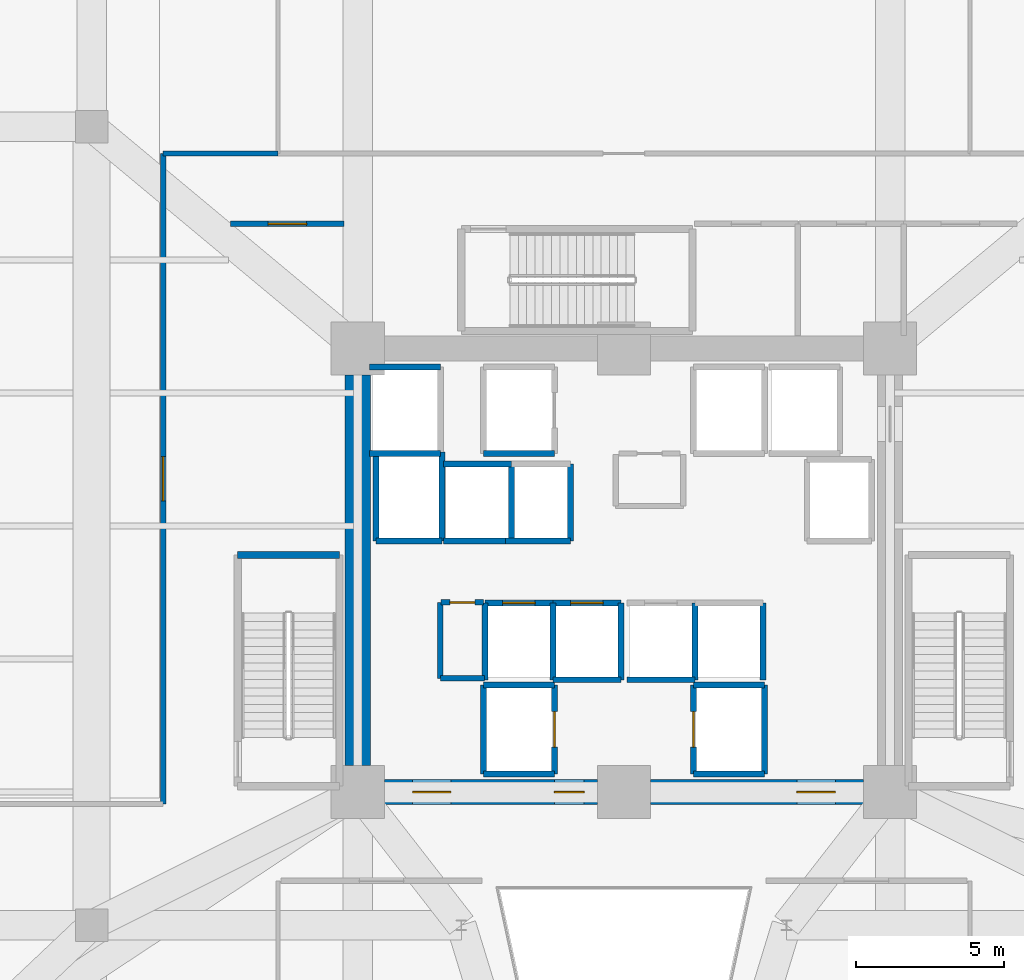
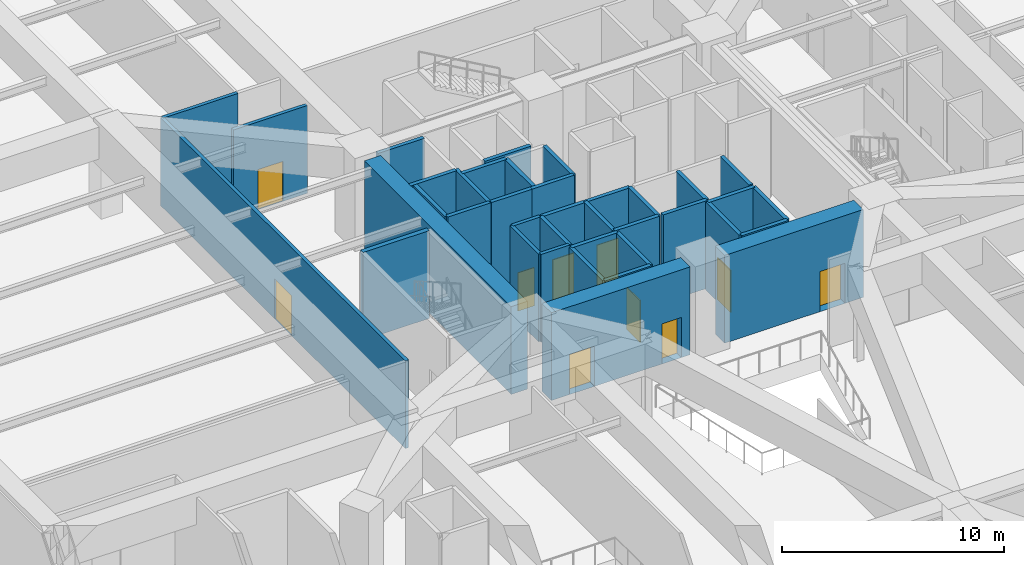
# One storey, part 6 of 14: 38 walls, 10 doors, 10 openings.
"""IFC4 building model written with IfcOpenShell, lengths in metres."""

from ifc_helpers import new_model, si_unit, direction, frame, frame_2d, origin, place, context, subcontext, project, spatial, rectangle, extrude, source, transform, mapped, material, layer, layer_set, type_object, element, fill, save


model = new_model("IFC4")

# Units and contexts
model_context = context("Model", 3, precision=1e-05, world=origin(), true_north=direction((0.0, 1.0)))
body_context = subcontext(model_context, "Body", "Model", "MODEL_VIEW")
ifc_project = project(units=[si_unit("LENGTHUNIT", "METRE"), si_unit("AREAUNIT", "SQUARE_METRE"), si_unit("VOLUMEUNIT", "CUBIC_METRE"), si_unit("PLANEANGLEUNIT", "RADIAN"), si_unit("MASSUNIT", "GRAM", prefix="KILO")], contexts=[model_context])

# Site, building, storey
site_placement = place(None, origin())
site = spatial("IfcSite", under=ifc_project, at=site_placement, CompositionType="ELEMENT")
building_placement = place(site_placement, origin())
building = spatial("IfcBuilding", under=site, at=building_placement, Name="Liaohun Quay Tower", CompositionType="ELEMENT")
storey_placement = place(building_placement, frame((0.0, 0.0, 23.39990234375)))
storey = spatial("IfcBuildingStorey", under=building, at=storey_placement, Name="L06", CompositionType="ELEMENT", Elevation=23.39990234375)

# Wall, opening, door
ifc_material_1 = material(Name="Concrete C60", Category="concrete")
ifc_layer_1 = layer(ifc_material_1, 0.85009765625, Name="Concrete C60", Category="concrete")
ifc_layer_set_1 = layer_set([ifc_layer_1], Name="Concrete C60")
wall_type_1 = type_object("IfcWallType", Name="WAL-COR-Z1", PredefinedType="SHEAR", material=ifc_layer_set_1)
wall_1_placement = place(storey_placement, frame((68.10009765625, 46.5, 0.0), z_axis=(0.0, 0.0, 1.0), x_axis=(-1.0, 0.0, 0.0)))
wall_1 = element("IfcWall", 1, at=wall_1_placement, inside=storey, type_object=wall_type_1, Name="L06 Central Core Shear Wall S-E", PredefinedType="SHEAR", context=body_context, shape_type="SweptSolid", body=[
    extrude(rectangle(XDim=7.2001953125, YDim=0.85009765625, at=frame_2d((3.60009765625, 0.0))), origin(), (0.0, 0.0, 1.0), 4.820068359375),
])
shared_shape_1 = source(origin(), body_context, "Body", "SweptSolid", [
    extrude(rectangle(XDim=1.300048828125, YDim=2.199951171875, at=frame_2d((0.64990234375, 1.10009765625))), frame((0.0, 0.43505859375, 0.0), z_axis=(0.0, -1.0, 0.0), x_axis=(1.0, 0.0, 0.0)), (0.0, 0.0, 1.0), 0.8701171875),
])
opening_1_placement = place(wall_1_placement, frame((0.949951171875, 0.0, 0.0)))
opening_1 = element("IfcOpeningElement", 2, at=opening_1_placement, cuts=wall_1, Name="Opening FD1", PredefinedType="OPENING", context=body_context, shape_type="MappedRepresentation", body=[
    mapped(shared_shape_1, transform((0.0, 0.0, 0.0), x_axis=(1.0, 0.0, 0.0), y_axis=(0.0, 1.0, 0.0), z_axis=(0.0, 0.0, 1.0), scale=1.0)),
])
ifc_material_2 = material(Name="Galvanised steel smokeproof fire door", Category="steel")
door_type_1 = type_object("IfcDoorType", Name="DOR-FFL-1300", OperationType="NOTDEFINED", PredefinedType="DOOR", material=ifc_material_2)
shared_shape_2 = source(origin(), body_context, "Body", "SweptSolid", [
    extrude(rectangle(XDim=1.300048828125, YDim=2.199951171875, at=frame_2d((0.64990234375, 1.10009765625))), frame((0.0, 0.02490234375, 0.0), z_axis=(0.0, -1.0, 0.0), x_axis=(1.0, 0.0, 0.0)), (0.0, 0.0, 1.0), 0.050048828125),
])
door_1_placement = place(opening_1_placement, origin())
door_1 = element("IfcDoor", 3, at=door_1_placement, inside=storey, type_object=door_type_1, Name="L06 East Core Lift Lobby Smokeproof Door", OperationType="SINGLE_SWING_LEFT", OverallHeight=2.199951171875, OverallWidth=1.300048828125, PredefinedType="DOOR", context=body_context, shape_type="MappedRepresentation", body=[
    mapped(shared_shape_2, transform((0.0, 0.0, 0.0), x_axis=(1.0, 0.0, 0.0), y_axis=(0.0, 1.0, 0.0), z_axis=(0.0, 0.0, 1.0), scale=1.0)),
])
fill(opening_1, door_1)

# Wall, openings, doors
wall_2_placement = place(storey_placement, frame((59.10009765625, 46.5, 0.0), z_axis=(0.0, 0.0, 1.0), x_axis=(-1.0, 0.0, 0.0)))
wall_2 = element("IfcWall", 4, at=wall_2_placement, inside=storey, type_object=wall_type_1, Name="L06 Central Core Shear Wall S-W", PredefinedType="SHEAR", context=body_context, shape_type="SweptSolid", body=[
    extrude(rectangle(XDim=7.2001953125, YDim=0.85009765625, at=frame_2d((3.60009765625, 0.0))), origin(), (0.0, 0.0, 1.0), 4.820068359375),
])
opening_2_placement = place(wall_2_placement, frame((4.949951171875, 0.0, 0.0)))
opening_2 = element("IfcOpeningElement", 5, at=opening_2_placement, cuts=wall_2, Name="Opening FD1", PredefinedType="OPENING", context=body_context, shape_type="MappedRepresentation", body=[
    mapped(shared_shape_1, transform((0.0, 0.0, 0.0), x_axis=(1.0, 0.0, 0.0), y_axis=(0.0, 1.0, 0.0), z_axis=(0.0, 0.0, 1.0), scale=1.0)),
])
shared_shape_3 = source(origin(), body_context, "Body", "SweptSolid", [
    extrude(rectangle(XDim=1.0, YDim=2.199951171875, at=frame_2d((0.5, 1.10009765625))), frame((0.0, 0.43505859375, 0.0), z_axis=(0.0, -1.0, 0.0), x_axis=(1.0, 0.0, 0.0)), (0.0, 0.0, 1.0), 0.8701171875),
])
opening_3_placement = place(wall_2_placement, frame((0.449951171875, 0.0, 0.0)))
opening_3 = element("IfcOpeningElement", 6, at=opening_3_placement, cuts=wall_2, Name="Opening FD2", PredefinedType="OPENING", context=body_context, shape_type="MappedRepresentation", body=[
    mapped(shared_shape_3, transform((0.0, 0.0, 0.0), x_axis=(1.0, 0.0, 0.0), y_axis=(0.0, 1.0, 0.0), z_axis=(0.0, 0.0, 1.0), scale=1.0)),
])
door_2_placement = place(opening_2_placement, origin())
door_2 = element("IfcDoor", 7, at=door_2_placement, inside=storey, type_object=door_type_1, Name="L06 West Core Lift Lobby Smokeproof Door", OperationType="SINGLE_SWING_RIGHT", OverallHeight=2.199951171875, OverallWidth=1.300048828125, PredefinedType="DOOR", context=body_context, shape_type="MappedRepresentation", body=[
    mapped(shared_shape_2, transform((0.0, 0.0, 0.0), x_axis=(1.0, 0.0, 0.0), y_axis=(0.0, 1.0, 0.0), z_axis=(0.0, 0.0, 1.0), scale=1.0)),
])
fill(opening_2, door_2)
ifc_material_3 = material(Name="Galvanised steel smokeproof lobby fire door", Category="steel")
door_type_2 = type_object("IfcDoorType", Name="DOR-FFL-1000", OperationType="NOTDEFINED", PredefinedType="DOOR", material=ifc_material_3)
shared_shape_4 = source(origin(), body_context, "Body", "SweptSolid", [
    extrude(rectangle(XDim=1.0, YDim=2.199951171875, at=frame_2d((0.5, 1.10009765625))), frame((0.0, 0.02490234375, 0.0), z_axis=(0.0, -1.0, 0.0), x_axis=(1.0, 0.0, 0.0)), (0.0, 0.0, 1.0), 0.050048828125),
])
door_3_placement = place(opening_3_placement, origin())
door_3 = element("IfcDoor", 8, at=door_3_placement, inside=storey, type_object=door_type_2, Name="L06 South Firefighting Lobby Smokeproof Door", OperationType="SINGLE_SWING_LEFT", OverallHeight=2.199951171875, OverallWidth=1.0, PredefinedType="DOOR", context=body_context, shape_type="MappedRepresentation", body=[
    mapped(shared_shape_4, transform((0.0, 0.0, 0.0), x_axis=(1.0, 0.0, 0.0), y_axis=(0.0, 1.0, 0.0), z_axis=(0.0, 0.0, 1.0), scale=1.0)),
])
fill(opening_3, door_3)

# Wall
wall_3_placement = place(storey_placement, frame((51.0, 47.39990234375, 0.0), z_axis=(0.0, 0.0, 1.0), x_axis=(0.0, 1.0, 0.0)))
element("IfcWall", 9, at=wall_3_placement, inside=storey, type_object=wall_type_1, Name="L06 Central Core Shear Wall W", PredefinedType="SHEAR", context=body_context, shape_type="SweptSolid", body=[
    extrude(rectangle(XDim=13.2001953125, YDim=0.85009765625, at=frame_2d((6.60009765625, 0.0))), origin(), (0.0, 0.0, 1.0), 4.820068359375),
])

# Wall, opening, door
ifc_material_4 = material(Name="Autoclaved aerated concrete blockwork", Category="masonry")
ifc_layer_2 = layer(ifc_material_4, 0.179931640625, Name="Autoclaved aerated concrete blockwork", Category="masonry")
ifc_layer_set_2 = layer_set([ifc_layer_2], Name="Autoclaved aerated concrete blockwork")
wall_type_2 = type_object("IfcWallType", Name="WAL-PRT-COR", PredefinedType="PARTITIONING", material=ifc_layer_set_2)
wall_4_placement = place(storey_placement, frame((53.820068359375, 52.919921875, 0.0), z_axis=(0.0, 0.0, 1.0), x_axis=(1.0, 0.0, 0.0)))
wall_4 = element("IfcWall", 10, at=wall_4_placement, inside=storey, type_object=wall_type_2, Name="L06 Interior Partition Wall 002", PredefinedType="PARTITIONING", context=body_context, shape_type="SweptSolid", body=[
    extrude(rectangle(XDim=1.429931640625, YDim=0.179931640625, at=frame_2d((0.71484375, 0.0))), origin(), (0.0, 0.0, 1.0), 4.820068359375),
])
shared_shape_5 = source(origin(), body_context, "Body", "SweptSolid", [
    extrude(rectangle(XDim=0.85009765625, YDim=2.10009765625, at=frame_2d((0.425048828125, 1.050048828125))), frame((0.0, 0.099853515625, 0.0), z_axis=(0.0, -1.0, 0.0), x_axis=(1.0, 0.0, 0.0)), (0.0, 0.0, 1.0), 0.199951171875),
])
opening_4_placement = place(wall_4_placement, frame((0.2900390625, 0.0, 0.0)))
opening_4 = element("IfcOpeningElement", 11, at=opening_4_placement, cuts=wall_4, Name="Opening AD1", PredefinedType="OPENING", context=body_context, shape_type="MappedRepresentation", body=[
    mapped(shared_shape_5, transform((0.0, 0.0, 0.0), x_axis=(1.0, 0.0, 0.0), y_axis=(0.0, 1.0, 0.0), z_axis=(0.0, 0.0, 1.0), scale=1.0)),
])
ifc_material_5 = material(Name="Steel riser inspection fire door", Category="steel")
door_type_3 = type_object("IfcDoorType", Name="DOR-SHF-850", OperationType="NOTDEFINED", PredefinedType="DOOR", material=ifc_material_5)
shared_shape_6 = source(origin(), body_context, "Body", "SweptSolid", [
    extrude(rectangle(XDim=0.85009765625, YDim=2.10009765625, at=frame_2d((0.425048828125, 1.050048828125))), frame((0.0, 0.02490234375, 0.0), z_axis=(0.0, -1.0, 0.0), x_axis=(1.0, 0.0, 0.0)), (0.0, 0.0, 1.0), 0.050048828125),
])
door_4_placement = place(opening_4_placement, origin())
door_4 = element("IfcDoor", 12, at=door_4_placement, inside=storey, type_object=door_type_3, Name="L06 Mechanical Smoke Duct Room Door", OperationType="SINGLE_SWING_LEFT", OverallHeight=2.10009765625, OverallWidth=0.85009765625, PredefinedType="DOOR", context=body_context, shape_type="MappedRepresentation", body=[
    mapped(shared_shape_6, transform((0.0, 0.0, 0.0), x_axis=(1.0, 0.0, 0.0), y_axis=(0.0, 1.0, 0.0), z_axis=(0.0, 0.0, 1.0), scale=1.0)),
])
fill(opening_4, door_4)

wall_5_placement = place(storey_placement, frame((46.699951171875, 65.719970703125, 0.0), z_axis=(0.0, 0.0, 1.0), x_axis=(1.0, 0.0, 0.0)))
wall_5 = element("IfcWall", 13, at=wall_5_placement, inside=storey, type_object=wall_type_2, Name="L06 Interior Partition Wall 008", PredefinedType="PARTITIONING", context=body_context, shape_type="SweptSolid", body=[
    extrude(rectangle(XDim=3.840087890625, YDim=0.179931640625, at=frame_2d((1.919921875, 0.0))), origin(), (0.0, 0.0, 1.0), 4.820068359375),
])
shared_shape_7 = source(origin(), body_context, "Body", "SweptSolid", [
    extrude(rectangle(XDim=1.300048828125, YDim=2.199951171875, at=frame_2d((0.64990234375, 1.10009765625))), frame((0.0, 0.099853515625, 0.0), z_axis=(0.0, -1.0, 0.0), x_axis=(1.0, 0.0, 0.0)), (0.0, 0.0, 1.0), 0.199951171875),
])
opening_5_placement = place(wall_5_placement, frame((1.27001953125, 0.0, 0.0)))
opening_5 = element("IfcOpeningElement", 14, at=opening_5_placement, cuts=wall_5, Name="Opening FD1", PredefinedType="OPENING", context=body_context, shape_type="MappedRepresentation", body=[
    mapped(shared_shape_7, transform((0.0, 0.0, 0.0), x_axis=(1.0, 0.0, 0.0), y_axis=(0.0, 1.0, 0.0), z_axis=(0.0, 0.0, 1.0), scale=1.0)),
])
door_5_placement = place(opening_5_placement, origin())
door_5 = element("IfcDoor", 15, at=door_5_placement, inside=storey, type_object=door_type_1, Name="L06 Podium West Core Vestibule Door", OperationType="SINGLE_SWING_LEFT", OverallHeight=2.199951171875, OverallWidth=1.300048828125, PredefinedType="DOOR", context=body_context, shape_type="MappedRepresentation", body=[
    mapped(shared_shape_2, transform((0.0, 0.0, 0.0), x_axis=(1.0, 0.0, 0.0), y_axis=(0.0, 1.0, 0.0), z_axis=(0.0, 0.0, 1.0), scale=1.0)),
])
fill(opening_5, door_5)

wall_6_placement = place(storey_placement, frame((44.419921875, 46.10009765625, 0.0), z_axis=(0.0, 0.0, 1.0), x_axis=(0.0, 1.0, 0.0)))
wall_6 = element("IfcWall", 16, at=wall_6_placement, inside=storey, type_object=wall_type_2, Name="L06 Interior Partition Wall 014", PredefinedType="PARTITIONING", context=body_context, shape_type="SweptSolid", body=[
    extrude(rectangle(XDim=22.0, YDim=0.179931640625, at=frame_2d((11.0, 0.0))), origin(), (0.0, 0.0, 1.0), 4.820068359375),
])
shared_shape_8 = source(origin(), body_context, "Body", "SweptSolid", [
    extrude(rectangle(XDim=1.5, YDim=2.199951171875, at=frame_2d((0.75, 1.10009765625))), frame((0.0, 0.099853515625, 0.0), z_axis=(0.0, -1.0, 0.0), x_axis=(1.0, 0.0, 0.0)), (0.0, 0.0, 1.0), 0.199951171875),
])
opening_6_placement = place(wall_6_placement, frame((10.25, 0.0, 0.0)))
opening_6 = element("IfcOpeningElement", 17, at=opening_6_placement, cuts=wall_6, Name="Opening OD2", PredefinedType="OPENING", context=body_context, shape_type="MappedRepresentation", body=[
    mapped(shared_shape_8, transform((0.0, 0.0, 0.0), x_axis=(1.0, 0.0, 0.0), y_axis=(0.0, 1.0, 0.0), z_axis=(0.0, 0.0, 1.0), scale=1.0)),
])
ifc_material_6 = material(Name="Acoustic oak veneer double door")
door_type_4 = type_object("IfcDoorType", Name="DOR-OFF-1500", OperationType="DOUBLE_DOOR_SINGLE_SWING", PredefinedType="DOOR", material=ifc_material_6)
shared_shape_9 = source(origin(), body_context, "Body", "SweptSolid", [
    extrude(rectangle(XDim=1.5, YDim=2.199951171875, at=frame_2d((0.75, 1.10009765625))), frame((0.0, 0.02490234375, 0.0), z_axis=(0.0, -1.0, 0.0), x_axis=(1.0, 0.0, 0.0)), (0.0, 0.0, 1.0), 0.050048828125),
])
door_6_placement = place(opening_6_placement, origin())
door_6 = element("IfcDoor", 18, at=door_6_placement, inside=storey, type_object=door_type_4, Name="L06 Fitness and Wellness Studio Door", OperationType="DOUBLE_DOOR_SINGLE_SWING", OverallHeight=2.199951171875, OverallWidth=1.5, PredefinedType="DOOR", context=body_context, shape_type="MappedRepresentation", body=[
    mapped(shared_shape_9, transform((0.0, 0.0, 0.0), x_axis=(1.0, 0.0, 0.0), y_axis=(0.0, 1.0, 0.0), z_axis=(0.0, 0.0, 1.0), scale=1.0)),
])
fill(opening_6, door_6)

# Walls
wall_7_placement = place(storey_placement, frame((53.7900390625, 50.35009765625, 0.0), z_axis=(0.0, 0.0, 1.0), x_axis=(0.0, 1.0, 0.0)))
element("IfcWall", 19, at=wall_7_placement, inside=storey, type_object=wall_type_2, Name="L06 Interior Partition Wall 020", PredefinedType="PARTITIONING", context=body_context, shape_type="SweptSolid", body=[
    extrude(rectangle(XDim=2.56982421875, YDim=0.179931640625, at=frame_2d((1.284912109375, 0.0))), origin(), (0.0, 0.0, 1.0), 4.820068359375),
])
wall_8_placement = place(storey_placement, frame((53.7900390625, 50.35009765625, 0.0), z_axis=(0.0, 0.0, 1.0), x_axis=(1.0, 0.0, 0.0)))
element("IfcWall", 20, at=wall_8_placement, inside=storey, type_object=wall_type_2, Name="L06 Interior Partition Wall 021", PredefinedType="PARTITIONING", context=body_context, shape_type="SweptSolid", body=[
    extrude(rectangle(XDim=1.489990234375, YDim=0.179931640625, at=frame_2d((0.7451171875, 0.0))), origin(), (0.0, 0.0, 1.0), 4.820068359375),
])
wall_9_placement = place(storey_placement, frame((44.419921875, 68.10009765625, 0.0), z_axis=(0.0, 0.0, 1.0), x_axis=(1.0, 0.0, 0.0)))
element("IfcWall", 21, at=wall_9_placement, inside=storey, type_object=wall_type_2, Name="L06 Interior Partition Wall 029", PredefinedType="PARTITIONING", context=body_context, shape_type="SweptSolid", body=[
    extrude(rectangle(XDim=3.880126953125, YDim=0.179931640625, at=frame_2d((1.93994140625, 0.0))), origin(), (0.0, 0.0, 1.0), 4.820068359375),
])
ifc_material_7 = material(Name="Concrete C50", Category="concrete")
ifc_layer_3 = layer(ifc_material_7, 0.239990234375, Name="Concrete C50", Category="concrete")
ifc_layer_set_3 = layer_set([ifc_layer_3], Name="Concrete C50")
wall_type_3 = type_object("IfcWallType", Name="WAL-SHF-200", PredefinedType="SOLIDWALL", material=ifc_layer_set_3)
wall_10_placement = place(storey_placement, frame((50.3798828125, 54.52001953125, 0.0), z_axis=(0.0, 0.0, 1.0), x_axis=(-1.0, 0.0, 0.0)))
element("IfcWall", 22, at=wall_10_placement, inside=storey, type_object=wall_type_3, Name="L06 Stairwell ST-1 Structural Core Wall N", PredefinedType="SOLIDWALL", context=body_context, shape_type="SweptSolid", body=[
    extrude(rectangle(XDim=3.43994140625, YDim=0.239990234375, at=frame_2d((1.719970703125, 0.0))), origin(), (0.0, 0.0, 1.0), 4.820068359375),
])
wall_11_placement = place(storey_placement, frame((55.25, 47.1201171875, 0.0), z_axis=(0.0, 0.0, 1.0), x_axis=(1.0, 0.0, 0.0)))
element("IfcWall", 23, at=wall_11_placement, inside=storey, type_object=wall_type_3, Name="L06 Lift FF-01 Hoistway Wall S", PredefinedType="SOLIDWALL", context=body_context, shape_type="SweptSolid", body=[
    extrude(rectangle(XDim=2.39990234375, YDim=0.199951171875, at=frame_2d((1.199951171875, 0.0))), origin(), (0.0, 0.0, 1.0), 4.820068359375),
])

# Wall, opening, door
wall_12_placement = place(storey_placement, frame((57.64990234375, 47.1201171875, 0.0), z_axis=(0.0, 0.0, 1.0), x_axis=(0.0, 1.0, 0.0)))
wall_12 = element("IfcWall", 24, at=wall_12_placement, inside=storey, type_object=wall_type_3, Name="L06 Lift FF-01 Hoistway Wall E", PredefinedType="SOLIDWALL", context=body_context, shape_type="SweptSolid", body=[
    extrude(rectangle(XDim=3.0, YDim=0.199951171875, at=frame_2d((1.5, 0.0))), origin(), (0.0, 0.0, 1.0), 4.820068359375),
])
shared_shape_10 = source(origin(), body_context, "Body", "SweptSolid", [
    extrude(rectangle(XDim=1.199951171875, YDim=2.300048828125, at=frame_2d((0.60009765625, 1.14990234375))), frame((0.0, 0.10986328125, 0.0), z_axis=(0.0, -1.0, 0.0), x_axis=(1.0, 0.0, 0.0)), (0.0, 0.0, 1.0), 0.219970703125),
])
opening_7_placement = place(wall_12_placement, frame((0.89990234375, 0.0, 0.0)))
opening_7 = element("IfcOpeningElement", 25, at=opening_7_placement, cuts=wall_12, Name="Opening LD2", PredefinedType="OPENING", context=body_context, shape_type="MappedRepresentation", body=[
    mapped(shared_shape_10, transform((0.0, 0.0, 0.0), x_axis=(1.0, 0.0, 0.0), y_axis=(0.0, 1.0, 0.0), z_axis=(0.0, 0.0, 1.0), scale=1.0)),
])
ifc_material_8 = material(Name="Brushed stainless steel stretcher landing door", Category="steel")
door_type_5 = type_object("IfcDoorType", Name="DOR-LFT-1200", OperationType="SLIDING_TO_LEFT", PredefinedType="DOOR", material=ifc_material_8)
shared_shape_11 = source(origin(), body_context, "Body", "SweptSolid", [
    extrude(rectangle(XDim=1.199951171875, YDim=2.300048828125, at=frame_2d((0.60009765625, 1.14990234375))), frame((0.0, 0.02490234375, 0.0), z_axis=(0.0, -1.0, 0.0), x_axis=(1.0, 0.0, 0.0)), (0.0, 0.0, 1.0), 0.050048828125),
])
door_7_placement = place(opening_7_placement, origin())
door_7 = element("IfcDoor", 26, at=door_7_placement, inside=storey, type_object=door_type_5, Name="L06 Lift FF-01 Sliding Landing Door", OperationType="SLIDING_TO_LEFT", OverallHeight=2.300048828125, OverallWidth=1.199951171875, PredefinedType="DOOR", context=body_context, shape_type="MappedRepresentation", body=[
    mapped(shared_shape_11, transform((0.0, 0.0, 0.0), x_axis=(1.0, 0.0, 0.0), y_axis=(0.0, 1.0, 0.0), z_axis=(0.0, 0.0, 1.0), scale=1.0)),
])
fill(opening_7, door_7)

# Walls
wall_13_placement = place(storey_placement, frame((57.64990234375, 50.1201171875, 0.0), z_axis=(0.0, 0.0, 1.0), x_axis=(-1.0, 0.0, 0.0)))
element("IfcWall", 27, at=wall_13_placement, inside=storey, type_object=wall_type_3, Name="L06 Lift FF-01 Hoistway Wall N", PredefinedType="SOLIDWALL", context=body_context, shape_type="SweptSolid", body=[
    extrude(rectangle(XDim=2.39990234375, YDim=0.199951171875, at=frame_2d((1.199951171875, 0.0))), origin(), (0.0, 0.0, 1.0), 4.820068359375),
])
wall_14_placement = place(storey_placement, frame((55.25, 50.1201171875, 0.0), z_axis=(0.0, 0.0, 1.0), x_axis=(0.0, -1.0, 0.0)))
element("IfcWall", 28, at=wall_14_placement, inside=storey, type_object=wall_type_3, Name="L06 Lift FF-01 Hoistway Wall W", PredefinedType="SOLIDWALL", context=body_context, shape_type="SweptSolid", body=[
    extrude(rectangle(XDim=3.0, YDim=0.199951171875, at=frame_2d((1.5, 0.0))), origin(), (0.0, 0.0, 1.0), 4.820068359375),
])
wall_15_placement = place(storey_placement, frame((62.35009765625, 47.1201171875, 0.0), z_axis=(0.0, 0.0, 1.0), x_axis=(1.0, 0.0, 0.0)))
element("IfcWall", 29, at=wall_15_placement, inside=storey, type_object=wall_type_3, Name="L06 Lift FF-02 Hoistway Wall S", PredefinedType="SOLIDWALL", context=body_context, shape_type="SweptSolid", body=[
    extrude(rectangle(XDim=2.39990234375, YDim=0.199951171875, at=frame_2d((1.199951171875, 0.0))), origin(), (0.0, 0.0, 1.0), 4.820068359375),
])
wall_16_placement = place(storey_placement, frame((64.75, 47.1201171875, 0.0), z_axis=(0.0, 0.0, 1.0), x_axis=(0.0, 1.0, 0.0)))
element("IfcWall", 30, at=wall_16_placement, inside=storey, type_object=wall_type_3, Name="L06 Lift FF-02 Hoistway Wall E", PredefinedType="SOLIDWALL", context=body_context, shape_type="SweptSolid", body=[
    extrude(rectangle(XDim=3.0, YDim=0.199951171875, at=frame_2d((1.5, 0.0))), origin(), (0.0, 0.0, 1.0), 4.820068359375),
])
wall_17_placement = place(storey_placement, frame((64.75, 50.1201171875, 0.0), z_axis=(0.0, 0.0, 1.0), x_axis=(-1.0, 0.0, 0.0)))
element("IfcWall", 31, at=wall_17_placement, inside=storey, type_object=wall_type_3, Name="L06 Lift FF-02 Hoistway Wall N", PredefinedType="SOLIDWALL", context=body_context, shape_type="SweptSolid", body=[
    extrude(rectangle(XDim=2.39990234375, YDim=0.199951171875, at=frame_2d((1.199951171875, 0.0))), origin(), (0.0, 0.0, 1.0), 4.820068359375),
])

# Wall, opening, door
wall_18_placement = place(storey_placement, frame((62.35009765625, 50.1201171875, 0.0), z_axis=(0.0, 0.0, 1.0), x_axis=(0.0, -1.0, 0.0)))
wall_18 = element("IfcWall", 32, at=wall_18_placement, inside=storey, type_object=wall_type_3, Name="L06 Lift FF-02 Hoistway Wall W", PredefinedType="SOLIDWALL", context=body_context, shape_type="SweptSolid", body=[
    extrude(rectangle(XDim=3.0, YDim=0.199951171875, at=frame_2d((1.5, 0.0))), origin(), (0.0, 0.0, 1.0), 4.820068359375),
])
opening_8_placement = place(wall_18_placement, frame((0.89990234375, 0.0, 0.0)))
opening_8 = element("IfcOpeningElement", 33, at=opening_8_placement, cuts=wall_18, Name="Opening LD2", PredefinedType="OPENING", context=body_context, shape_type="MappedRepresentation", body=[
    mapped(shared_shape_10, transform((0.0, 0.0, 0.0), x_axis=(1.0, 0.0, 0.0), y_axis=(0.0, 1.0, 0.0), z_axis=(0.0, 0.0, 1.0), scale=1.0)),
])
door_8_placement = place(opening_8_placement, origin())
door_8 = element("IfcDoor", 34, at=door_8_placement, inside=storey, type_object=door_type_5, Name="L06 Lift FF-02 Sliding Landing Door", OperationType="SLIDING_TO_LEFT", OverallHeight=2.300048828125, OverallWidth=1.199951171875, PredefinedType="DOOR", context=body_context, shape_type="MappedRepresentation", body=[
    mapped(shared_shape_11, transform((0.0, 0.0, 0.0), x_axis=(1.0, 0.0, 0.0), y_axis=(0.0, 1.0, 0.0), z_axis=(0.0, 0.0, 1.0), scale=1.0)),
])
fill(opening_8, door_8)

# Walls
wall_19_placement = place(storey_placement, frame((55.25, 57.949951171875, 0.0), z_axis=(0.0, 0.0, 1.0), x_axis=(1.0, 0.0, 0.0)))
element("IfcWall", 35, at=wall_19_placement, inside=storey, type_object=wall_type_3, Name="L06 Lift FF-03 Hoistway Wall S", PredefinedType="SOLIDWALL", context=body_context, shape_type="SweptSolid", body=[
    extrude(rectangle(XDim=2.39990234375, YDim=0.199951171875, at=frame_2d((1.199951171875, 0.0))), origin(), (0.0, 0.0, 1.0), 4.820068359375),
])
for number, where, z_axis, x_axis, name in (
    (36, (51.39990234375, 57.949951171875, 0.0), (0.0, 0.0, 1.0), (1.0, 0.0, 0.0), "L06 Lift SH-01 Hoistway Wall S"),
    (37, (53.800048828125, 60.8798828125, 0.0), (0.0, 0.0, 1.0), (-1.0, 0.0, 0.0), "L06 Lift SH-01 Hoistway Wall N"),
):
    element("IfcWall", number, at=place(storey_placement, frame(where, z_axis=z_axis, x_axis=x_axis)), inside=storey, type_object=wall_type_3, Name=name, PredefinedType="SOLIDWALL", context=body_context, shape_type="SweptSolid", body=[
        extrude(rectangle(XDim=2.400146484375, YDim=0.199951171875, at=frame_2d((1.2001953125, 0.0))), origin(), (0.0, 0.0, 1.0), 4.820068359375),
    ])
wall_20_placement = place(storey_placement, frame((51.6201171875, 55.0, 0.0), z_axis=(0.0, 0.0, 1.0), x_axis=(1.0, 0.0, 0.0)))
element("IfcWall", 38, at=wall_20_placement, inside=storey, type_object=wall_type_3, Name="L06 Lift SH-02 Hoistway Wall S", PredefinedType="SOLIDWALL", context=body_context, shape_type="SweptSolid", body=[
    extrude(rectangle(XDim=2.22998046875, YDim=0.199951171875, at=frame_2d((1.114990234375, 0.0))), origin(), (0.0, 0.0, 1.0), 4.820068359375),
])
for number, where, z_axis, x_axis, name in (
    (39, (53.85009765625, 55.0, 0.0), (0.0, 0.0, 1.0), (0.0, 1.0, 0.0), "L06 Lift SH-02 Hoistway Wall E"),
    (40, (51.6201171875, 58.0, 0.0), (0.0, 0.0, 1.0), (0.0, -1.0, 0.0), "L06 Lift SH-02 Hoistway Wall W"),
):
    element("IfcWall", number, at=place(storey_placement, frame(where, z_axis=z_axis, x_axis=x_axis)), inside=storey, type_object=wall_type_3, Name=name, PredefinedType="SOLIDWALL", context=body_context, shape_type="SweptSolid", body=[
        extrude(rectangle(XDim=3.0, YDim=0.199951171875, at=frame_2d((1.5, 0.0))), origin(), (0.0, 0.0, 1.0), 4.820068359375),
    ])
wall_21_placement = place(storey_placement, frame((57.60009765625, 50.300048828125, 0.0), z_axis=(0.0, 0.0, 1.0), x_axis=(0.0, 1.0, 0.0)))
element("IfcWall", 41, at=wall_21_placement, inside=storey, type_object=wall_type_3, Name="L06 Lift PL-1A Hoistway Wall E", PredefinedType="SOLIDWALL", context=body_context, shape_type="SweptSolid", body=[
    extrude(rectangle(XDim=2.599853515625, YDim=0.199951171875, at=frame_2d((1.2998046875, 0.0))), origin(), (0.0, 0.0, 1.0), 4.820068359375),
])

# Wall, opening, door
wall_22_placement = place(storey_placement, frame((57.60009765625, 52.89990234375, 0.0), z_axis=(0.0, 0.0, 1.0), x_axis=(-1.0, 0.0, 0.0)))
wall_22 = element("IfcWall", 42, at=wall_22_placement, inside=storey, type_object=wall_type_3, Name="L06 Lift PL-1A Hoistway Wall N", PredefinedType="SOLIDWALL", context=body_context, shape_type="SweptSolid", body=[
    extrude(rectangle(XDim=2.300048828125, YDim=0.199951171875, at=frame_2d((1.14990234375, 0.0))), origin(), (0.0, 0.0, 1.0), 4.820068359375),
])
shared_shape_12 = source(origin(), body_context, "Body", "SweptSolid", [
    extrude(rectangle(XDim=1.10009765625, YDim=2.199951171875, at=frame_2d((0.550048828125, 1.10009765625))), frame((0.0, 0.10986328125, 0.0), z_axis=(0.0, -1.0, 0.0), x_axis=(1.0, 0.0, 0.0)), (0.0, 0.0, 1.0), 0.219970703125),
])
opening_9_placement = place(wall_22_placement, frame((0.60009765625, 0.0, 0.0)))
opening_9 = element("IfcOpeningElement", 43, at=opening_9_placement, cuts=wall_22, Name="Opening LD1", PredefinedType="OPENING", context=body_context, shape_type="MappedRepresentation", body=[
    mapped(shared_shape_12, transform((0.0, 0.0, 0.0), x_axis=(1.0, 0.0, 0.0), y_axis=(0.0, 1.0, 0.0), z_axis=(0.0, 0.0, 1.0), scale=1.0)),
])
ifc_material_9 = material(Name="Brushed stainless steel landing door", Category="steel")
door_type_6 = type_object("IfcDoorType", Name="DOR-LFT-1100", OperationType="SLIDING_TO_LEFT", PredefinedType="DOOR", material=ifc_material_9)
shared_shape_13 = source(origin(), body_context, "Body", "SweptSolid", [
    extrude(rectangle(XDim=1.10009765625, YDim=2.199951171875, at=frame_2d((0.550048828125, 1.10009765625))), frame((0.0, 0.02490234375, 0.0), z_axis=(0.0, -1.0, 0.0), x_axis=(1.0, 0.0, 0.0)), (0.0, 0.0, 1.0), 0.050048828125),
])
door_9_placement = place(opening_9_placement, origin())
door_9 = element("IfcDoor", 44, at=door_9_placement, inside=storey, type_object=door_type_6, Name="L06 Lift PL-1A Sliding Landing Door", OperationType="SLIDING_TO_LEFT", OverallHeight=2.199951171875, OverallWidth=1.10009765625, PredefinedType="DOOR", context=body_context, shape_type="MappedRepresentation", body=[
    mapped(shared_shape_13, transform((0.0, 0.0, 0.0), x_axis=(1.0, 0.0, 0.0), y_axis=(0.0, 1.0, 0.0), z_axis=(0.0, 0.0, 1.0), scale=1.0)),
])
fill(opening_9, door_9)

# Walls
wall_23_placement = place(storey_placement, frame((55.300048828125, 52.89990234375, 0.0), z_axis=(0.0, 0.0, 1.0), x_axis=(0.0, -1.0, 0.0)))
element("IfcWall", 45, at=wall_23_placement, inside=storey, type_object=wall_type_3, Name="L06 Lift PL-1A Hoistway Wall W", PredefinedType="SOLIDWALL", context=body_context, shape_type="SweptSolid", body=[
    extrude(rectangle(XDim=2.599853515625, YDim=0.199951171875, at=frame_2d((1.2998046875, 0.0))), origin(), (0.0, 0.0, 1.0), 4.820068359375),
])
wall_24_placement = place(storey_placement, frame((57.60009765625, 50.300048828125, 0.0), z_axis=(0.0, 0.0, 1.0), x_axis=(1.0, 0.0, 0.0)))
element("IfcWall", 46, at=wall_24_placement, inside=storey, type_object=wall_type_3, Name="L06 Lift PL-1B Hoistway Wall S", PredefinedType="SOLIDWALL", context=body_context, shape_type="SweptSolid", body=[
    extrude(rectangle(XDim=2.2998046875, YDim=0.199951171875, at=frame_2d((1.14990234375, 0.0))), origin(), (0.0, 0.0, 1.0), 4.820068359375),
])
wall_25_placement = place(storey_placement, frame((59.89990234375, 50.300048828125, 0.0), z_axis=(0.0, 0.0, 1.0), x_axis=(0.0, 1.0, 0.0)))
element("IfcWall", 47, at=wall_25_placement, inside=storey, type_object=wall_type_3, Name="L06 Lift PL-1B Hoistway Wall E", PredefinedType="SOLIDWALL", context=body_context, shape_type="SweptSolid", body=[
    extrude(rectangle(XDim=2.599853515625, YDim=0.199951171875, at=frame_2d((1.2998046875, 0.0))), origin(), (0.0, 0.0, 1.0), 4.820068359375),
])

# Wall, opening, door
wall_26_placement = place(storey_placement, frame((59.89990234375, 52.89990234375, 0.0), z_axis=(0.0, 0.0, 1.0), x_axis=(-1.0, 0.0, 0.0)))
wall_26 = element("IfcWall", 48, at=wall_26_placement, inside=storey, type_object=wall_type_3, Name="L06 Lift PL-1B Hoistway Wall N", PredefinedType="SOLIDWALL", context=body_context, shape_type="SweptSolid", body=[
    extrude(rectangle(XDim=2.2998046875, YDim=0.199951171875, at=frame_2d((1.14990234375, 0.0))), origin(), (0.0, 0.0, 1.0), 4.820068359375),
])
opening_10_placement = place(wall_26_placement, frame((0.60009765625, 0.0, 0.0)))
opening_10 = element("IfcOpeningElement", 49, at=opening_10_placement, cuts=wall_26, Name="Opening LD1", PredefinedType="OPENING", context=body_context, shape_type="MappedRepresentation", body=[
    mapped(shared_shape_12, transform((0.0, 0.0, 0.0), x_axis=(1.0, 0.0, 0.0), y_axis=(0.0, 1.0, 0.0), z_axis=(0.0, 0.0, 1.0), scale=1.0)),
])
door_10_placement = place(opening_10_placement, origin())
door_10 = element("IfcDoor", 50, at=door_10_placement, inside=storey, type_object=door_type_6, Name="L06 Lift PL-1B Sliding Landing Door", OperationType="SLIDING_TO_LEFT", OverallHeight=2.199951171875, OverallWidth=1.10009765625, PredefinedType="DOOR", context=body_context, shape_type="MappedRepresentation", body=[
    mapped(shared_shape_13, transform((0.0, 0.0, 0.0), x_axis=(1.0, 0.0, 0.0), y_axis=(0.0, 1.0, 0.0), z_axis=(0.0, 0.0, 1.0), scale=1.0)),
])
fill(opening_10, door_10)

# Walls
wall_27_placement = place(storey_placement, frame((60.10009765625, 50.300048828125, 0.0), z_axis=(0.0, 0.0, 1.0), x_axis=(1.0, 0.0, 0.0)))
element("IfcWall", 51, at=wall_27_placement, inside=storey, type_object=wall_type_3, Name="L06 Lift PL-1C Hoistway Wall S", PredefinedType="SOLIDWALL", context=body_context, shape_type="SweptSolid", body=[
    extrude(rectangle(XDim=2.2998046875, YDim=0.199951171875, at=frame_2d((1.14990234375, 0.0))), origin(), (0.0, 0.0, 1.0), 4.820068359375),
])
for number, where, z_axis, x_axis, name in (
    (52, (62.39990234375, 50.300048828125, 0.0), (0.0, 0.0, 1.0), (0.0, 1.0, 0.0), "L06 Lift PL-1C Hoistway Wall E"),
    (53, (64.699951171875, 50.300048828125, 0.0), (0.0, 0.0, 1.0), (0.0, 1.0, 0.0), "L06 Lift PL-2A Hoistway Wall E"),
):
    element("IfcWall", number, at=place(storey_placement, frame(where, z_axis=z_axis, x_axis=x_axis)), inside=storey, type_object=wall_type_3, Name=name, PredefinedType="SOLIDWALL", context=body_context, shape_type="SweptSolid", body=[
        extrude(rectangle(XDim=2.599853515625, YDim=0.199951171875, at=frame_2d((1.2998046875, 0.0))), origin(), (0.0, 0.0, 1.0), 4.820068359375),
    ])
wall_28_placement = place(storey_placement, frame((53.89990234375, 55.0, 0.0), z_axis=(0.0, 0.0, 1.0), x_axis=(1.0, 0.0, 0.0)))
element("IfcWall", 54, at=wall_28_placement, inside=storey, type_object=wall_type_3, Name="L06 Lift PL-2B Hoistway Wall S", PredefinedType="SOLIDWALL", context=body_context, shape_type="SweptSolid", body=[
    extrude(rectangle(XDim=2.300048828125, YDim=0.199951171875, at=frame_2d((1.14990234375, 0.0))), origin(), (0.0, 0.0, 1.0), 4.820068359375),
])
wall_29_placement = place(storey_placement, frame((56.199951171875, 55.0, 0.0), z_axis=(0.0, 0.0, 1.0), x_axis=(0.0, 1.0, 0.0)))
element("IfcWall", 55, at=wall_29_placement, inside=storey, type_object=wall_type_3, Name="L06 Lift PL-2B Hoistway Wall E", PredefinedType="SOLIDWALL", context=body_context, shape_type="SweptSolid", body=[
    extrude(rectangle(XDim=2.60009765625, YDim=0.199951171875, at=frame_2d((1.300048828125, 0.0))), origin(), (0.0, 0.0, 1.0), 4.820068359375),
])
wall_30_placement = place(storey_placement, frame((56.199951171875, 57.60009765625, 0.0), z_axis=(0.0, 0.0, 1.0), x_axis=(-1.0, 0.0, 0.0)))
element("IfcWall", 56, at=wall_30_placement, inside=storey, type_object=wall_type_3, Name="L06 Lift PL-2B Hoistway Wall N", PredefinedType="SOLIDWALL", context=body_context, shape_type="SweptSolid", body=[
    extrude(rectangle(XDim=2.300048828125, YDim=0.199951171875, at=frame_2d((1.14990234375, 0.0))), origin(), (0.0, 0.0, 1.0), 4.820068359375),
])
wall_31_placement = place(storey_placement, frame((56.0, 55.0, 0.0), z_axis=(0.0, 0.0, 1.0), x_axis=(1.0, 0.0, 0.0)))
element("IfcWall", 57, at=wall_31_placement, inside=storey, type_object=wall_type_3, Name="L06 Lift PL-2C Hoistway Wall S", PredefinedType="SOLIDWALL", context=body_context, shape_type="SweptSolid", body=[
    extrude(rectangle(XDim=2.199951171875, YDim=0.199951171875, at=frame_2d((1.10009765625, 0.0))), origin(), (0.0, 0.0, 1.0), 4.820068359375),
])
wall_32_placement = place(storey_placement, frame((58.199951171875, 55.0, 0.0), z_axis=(0.0, 0.0, 1.0), x_axis=(0.0, 1.0, 0.0)))
element("IfcWall", 58, at=wall_32_placement, inside=storey, type_object=wall_type_3, Name="L06 Lift PL-2C Hoistway Wall E", PredefinedType="SOLIDWALL", context=body_context, shape_type="SweptSolid", body=[
    extrude(rectangle(XDim=2.60009765625, YDim=0.199951171875, at=frame_2d((1.300048828125, 0.0))), origin(), (0.0, 0.0, 1.0), 4.820068359375),
])

save(model, "model.ifc")
